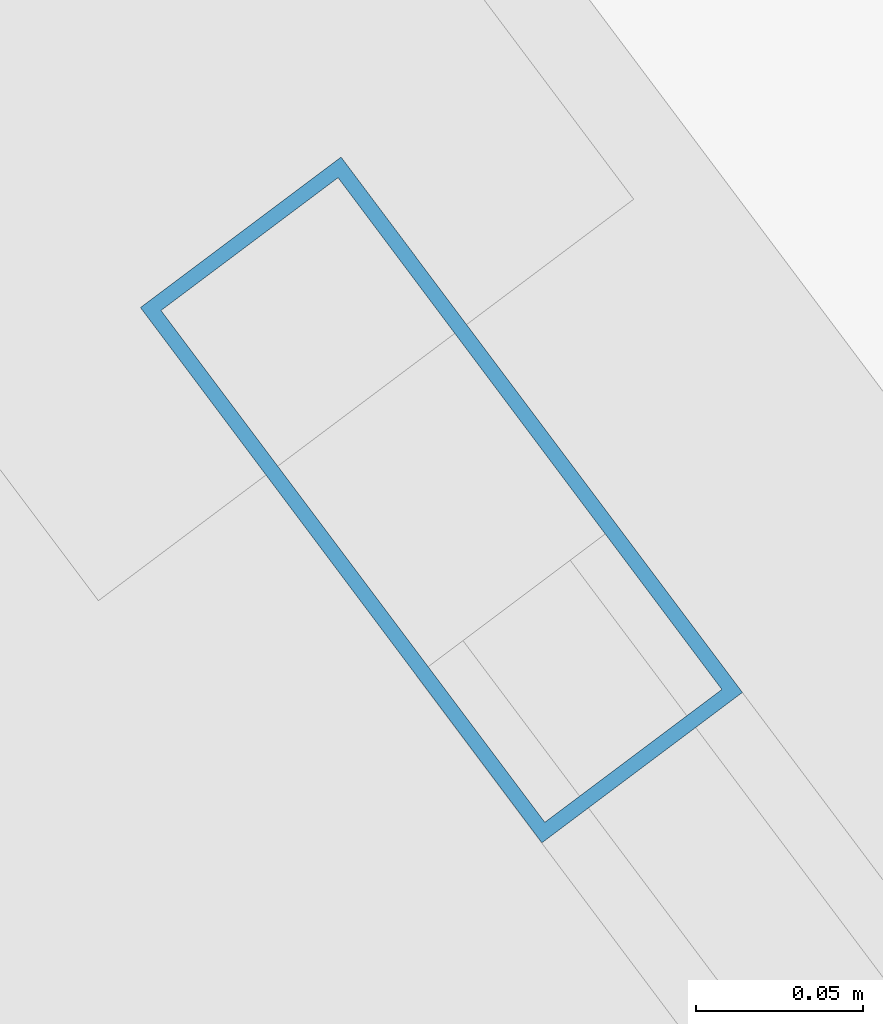
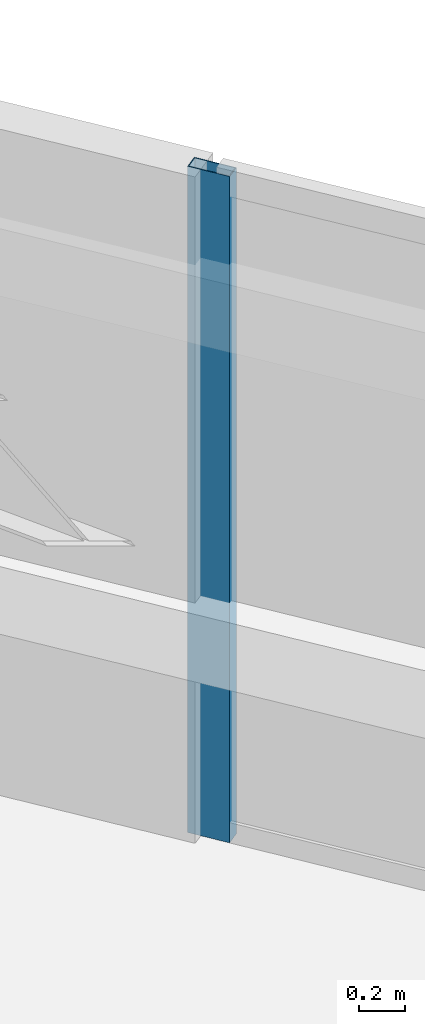
# One storey, part 35 of 54: 1 member, 1 element without a shape of its own.
"""IFC4 building model written with IfcOpenShell, lengths in metres."""

from ifc_helpers import new_model, si_unit, direction, frame, origin, origin_2d, place, context, subcontext, project, spatial, hollow_rectangle, extrude, material, material_profile, profile_set, type_object, element, aggregate, save


model = new_model("IFC4")

# Units and contexts
model_context = context("Model", 3, precision=1e-05, world=origin(), true_north=direction((0.0, 1.0)))
body_context = subcontext(model_context, "Body", "Model", "MODEL_VIEW")
ifc_project = project(units=[si_unit("LENGTHUNIT", "METRE"), si_unit("AREAUNIT", "SQUARE_METRE"), si_unit("VOLUMEUNIT", "CUBIC_METRE"), si_unit("PLANEANGLEUNIT", "RADIAN"), si_unit("MASSUNIT", "GRAM", prefix="KILO")], contexts=[model_context])

# Site, building, storey
site_placement = place(None, origin())
site = spatial("IfcSite", under=ifc_project, at=site_placement, CompositionType="ELEMENT")
building_placement = place(site_placement, origin())
building = spatial("IfcBuilding", under=site, at=building_placement, Name="Tashvorn Skyway Center", CompositionType="ELEMENT")
storey_placement = place(building_placement, frame((0.0, 0.0, 135.699951171875)))
storey = spatial("IfcBuildingStorey", under=building, at=storey_placement, Name="L36", CompositionType="ELEMENT", Elevation=135.699951171875)

# Curtain wall, member
ifc_material = material(Name="Thermally broken bronze-anodized aluminium 6063-T6", Category="aluminium")
curtain_wall_type = type_object("IfcCurtainWallType", Name="CW-CW-Z3", PredefinedType="NOTDEFINED", material=ifc_material)
curtain_wall_placement = place(storey_placement, origin())
curtain_wall = element("IfcCurtainWall", 1, at=curtain_wall_placement, inside=storey, type_object=curtain_wall_type, Name="Tower 2 L36 East Unitised Curtain Wall Glazing Group 3", PredefinedType="NOTDEFINED")
ifc_material_profile = material_profile(ifc_material, hollow_rectangle(XDim=0.074951171875, YDim=0.199951171875, WallThickness=0.00439453125, at=origin_2d()), Name="ALU-MULL-75x200")
ifc_profile_set = profile_set([ifc_material_profile], Name="Thermally broken bronze-anodized aluminium 6063-T6")
member_type = type_object("IfcMemberType", Name="CWM-CW-Z3", PredefinedType="MULLION", material=ifc_profile_set)
member_placement = place(storey_placement, frame((136.05712890625, 33.05712890625, 0.0), z_axis=(0.0, 0.0, 1.0), x_axis=(0.800003400519, 0.599995465948, 0.0)))
member = element("IfcMember", 2, at=member_placement, type_object=member_type, Name="CW-Z3 mullion 1", PredefinedType="MULLION", context=body_context, shape_type="SweptSolid", body=[
    extrude(hollow_rectangle(XDim=0.074951171875, YDim=0.199951171875, WallThickness=0.00439453125, at=origin_2d()), origin(), (0.0, 0.0, 1.0), 3.550048828125),
])
aggregate(curtain_wall, [member])

save(model, "model.ifc")
